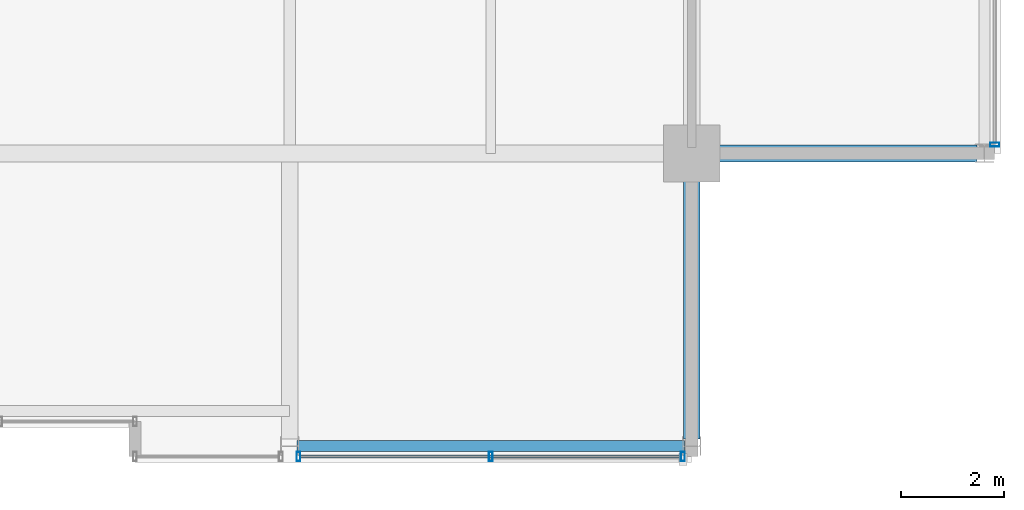
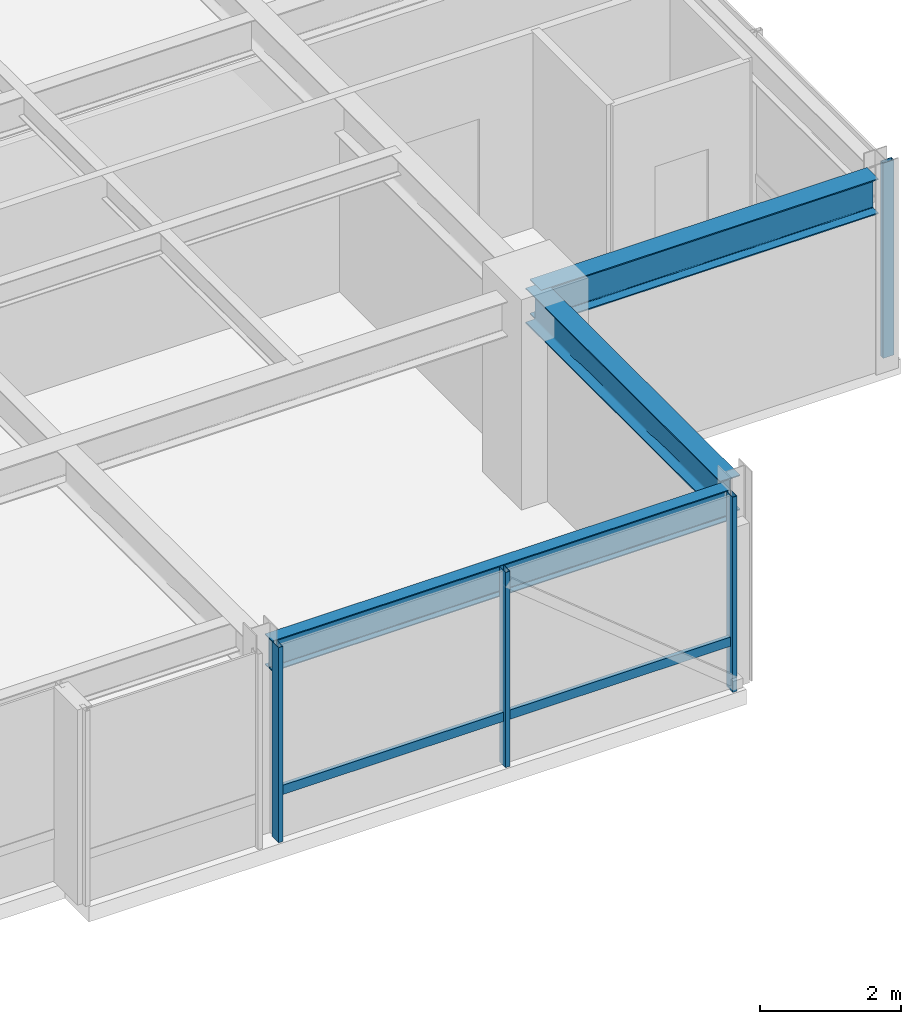
# One storey, part 15 of 33: 5 members, 3 beams, 2 elements without a shape of their own.
"""IFC4 building model written with IfcOpenShell, lengths in metres."""

from ifc_helpers import new_model, si_unit, direction, frame, origin, origin_2d, place, context, subcontext, project, spatial, hollow_rectangle, i_section, extrude, material, layer, layer_set, material_profile, profile_set, type_object, element, aggregate, save


model = new_model("IFC4")

# Units and contexts
model_context = context("Model", 3, precision=1e-05, world=origin(), true_north=direction((0.0, 1.0)))
body_context = subcontext(model_context, "Body", "Model", "MODEL_VIEW")
ifc_project = project(units=[si_unit("LENGTHUNIT", "METRE"), si_unit("AREAUNIT", "SQUARE_METRE"), si_unit("VOLUMEUNIT", "CUBIC_METRE"), si_unit("PLANEANGLEUNIT", "RADIAN"), si_unit("MASSUNIT", "GRAM", prefix="KILO")], contexts=[model_context])

# Site, building, storey
site_placement = place(None, origin())
site = spatial("IfcSite", under=ifc_project, at=site_placement, CompositionType="ELEMENT")
building_placement = place(site_placement, origin())
building = spatial("IfcBuilding", under=site, at=building_placement, Name="Drelvath Grand Hotel", CompositionType="ELEMENT")
storey_placement = place(building_placement, frame((0.0, 0.0, 275.949951171875)))
storey = spatial("IfcBuildingStorey", under=building, at=storey_placement, Name="L72", CompositionType="ELEMENT", Elevation=275.949951171875)

# Curtain wall, member
ifc_material_1 = material(Name="Platinum-Mist Anodised Aluminium Frame", Category="aluminium")
ifc_layer = layer(ifc_material_1, 0.199951171875)
ifc_layer_set = layer_set([ifc_layer], Name="Platinum-Mist Anodised Aluminium Frame")
curtain_wall_type = type_object("IfcCurtainWallType", Name="Stick Curtain Wall CW-05 Platinum Mist High-Rise", PredefinedType="NOTDEFINED", material=ifc_layer_set)
curtain_wall_1_placement = place(storey_placement, origin())
curtain_wall_1 = element("IfcCurtainWall", 1, at=curtain_wall_1_placement, inside=storey, type_object=curtain_wall_type, Name="L72 CW-05 Curtain Wall CW05-L72-SE2", PredefinedType="NOTDEFINED")
ifc_material_profile_1 = material_profile(ifc_material_1, hollow_rectangle(XDim=0.06494140625, YDim=0.159912109375, WallThickness=0.00390625, at=origin_2d()), Name="HSS160X65X4")
ifc_profile_set_1 = profile_set([ifc_material_profile_1], Name="Platinum-Mist Anodised Aluminium Frame")
member_type_1 = type_object("IfcMemberType", Name="Curtain Wall Horizontal Transom CW-05 HSS160X65X4", PredefinedType="USERDEFINED", material=ifc_profile_set_1)
member_1_placement = place(storey_placement, frame((15.989990234375, 4.919921875, 0.84765625), z_axis=(-1.0, 0.0, 0.0), x_axis=(0.0, -1.0, 0.0)))
member_1 = element("IfcMember", 2, at=member_1_placement, type_object=member_type_1, Name="CW05-L72-SE2 Sill Transom", ObjectType="TRANSOM", PredefinedType="USERDEFINED", context=body_context, shape_type="SweptSolid", body=[
    extrude(hollow_rectangle(XDim=0.06494140625, YDim=0.159912109375, WallThickness=0.00390625, at=origin_2d()), origin(), (0.0, 0.0, 1.0), 7.3798828125),
])

curtain_wall_2_placement = place(storey_placement, origin())
curtain_wall_2 = element("IfcCurtainWall", 3, at=curtain_wall_2_placement, inside=storey, type_object=curtain_wall_type, Name="L72 CW-05 Curtain Wall CW05-L72-ES1", PredefinedType="NOTDEFINED")
ifc_material_profile_2 = material_profile(ifc_material_1, hollow_rectangle(XDim=0.074951171875, YDim=0.179931640625, WallThickness=0.0048828125, at=origin_2d()), Name="HSS180X75X5")
ifc_profile_set_2 = profile_set([ifc_material_profile_2], Name="Platinum-Mist Anodised Aluminium Frame")
member_type_2 = type_object("IfcMemberType", Name="Curtain Wall Vertical Mullion CW-05 HSS180X75X5", PredefinedType="MULLION", material=ifc_profile_set_2)
member_2_placement = place(storey_placement, frame((22.080078125, 10.97021484375, 0.0), z_axis=(0.0, 0.0, 1.0), x_axis=(0.0, 1.0, 0.0)))
member_2 = element("IfcMember", 4, at=member_2_placement, type_object=member_type_2, Name="CW05-L72-ES1 Mullion 3", PredefinedType="MULLION", context=body_context, shape_type="SweptSolid", body=[
    extrude(hollow_rectangle(XDim=0.074951171875, YDim=0.179931640625, WallThickness=0.0048828125, at=origin_2d()), origin(), (0.0, 0.0, 1.0), 3.39013671875),
])
aggregate(curtain_wall_2, [member_2])

# Member
member_3_placement = place(storey_placement, frame((16.02978515625, 4.919921875, 0.0), z_axis=(0.0, 0.0, 1.0), x_axis=(1.0, 0.0, 0.0)))
member_3 = element("IfcMember", 5, at=member_3_placement, type_object=member_type_2, Name="CW05-L72-SE2 Mullion 1", PredefinedType="MULLION", context=body_context, shape_type="SweptSolid", body=[
    extrude(hollow_rectangle(XDim=0.074951171875, YDim=0.179931640625, WallThickness=0.0048828125, at=origin_2d()), origin(), (0.0, 0.0, 1.0), 3.39013671875),
])

member_4_placement = place(storey_placement, frame((12.300048828125, 4.919921875, 0.0), z_axis=(0.0, 0.0, 1.0), x_axis=(1.0, 0.0, 0.0)))
member_4 = element("IfcMember", 6, at=member_4_placement, type_object=member_type_2, Name="CW05-L72-SE2 Mullion 2", PredefinedType="MULLION", context=body_context, shape_type="SweptSolid", body=[
    extrude(hollow_rectangle(XDim=0.074951171875, YDim=0.179931640625, WallThickness=0.0048828125, at=origin_2d()), origin(), (0.0, 0.0, 1.0), 3.39013671875),
])

member_5_placement = place(storey_placement, frame((8.570068359375, 4.919921875, 0.0), z_axis=(0.0, 0.0, 1.0), x_axis=(1.0, 0.0, 0.0)))
member_5 = element("IfcMember", 7, at=member_5_placement, type_object=member_type_2, Name="CW05-L72-SE2 Mullion 3", PredefinedType="MULLION", context=body_context, shape_type="SweptSolid", body=[
    extrude(hollow_rectangle(XDim=0.074951171875, YDim=0.179931640625, WallThickness=0.0048828125, at=origin_2d()), origin(), (0.0, 0.0, 1.0), 3.39013671875),
])

aggregate(curtain_wall_1, [member_3, member_4, member_5, member_1])

# Beams
ifc_material_2 = material(Name="Steel ASTM A992 Gr 50", Category="steel")
ifc_material_profile_3 = material_profile(ifc_material_2, i_section(OverallWidth=0.210205078125, OverallDepth=0.53662109375, WebThickness=0.010986328125, FlangeThickness=0.017333984375, FilletRadius=0.01806640625, at=origin_2d()), Name="W21X68")
ifc_profile_set_3 = profile_set([ifc_material_profile_3], Name="Steel ASTM A992 Gr 50")
beam_type_1 = type_object("IfcBeamType", Name="Perimeter Spandrel Beam W21X68", PredefinedType="SPANDREL", material=ifc_profile_set_3)
beam_placement = place(storey_placement, frame((8.5400390625, 5.1201171875, 3.12158203125), z_axis=(1.0, 0.0, 0.0), x_axis=(0.0, 1.0, 0.0)))
element("IfcBeam", 8, at=beam_placement, inside=storey, type_object=beam_type_1, Name="L72 Spandrel South E", PredefinedType="SPANDREL", context=body_context, shape_type="SweptSolid", body=[
    extrude(i_section(OverallWidth=0.210205078125, OverallDepth=0.53662109375, WebThickness=0.010986328125, FlangeThickness=0.017333984375, FilletRadius=0.01806640625, at=origin_2d()), origin(), (0.0, 0.0, 1.0), 7.52001953125),
])
ifc_material_profile_4 = material_profile(ifc_material_2, i_section(OverallWidth=0.323974609375, OverallDepth=0.611083984375, WebThickness=0.0126953125, FlangeThickness=0.01904296875, FilletRadius=0.02197265625, at=origin_2d()), Name="W24X104")
ifc_profile_set_4 = profile_set([ifc_material_profile_4], Name="Steel ASTM A992 Gr 50")
beam_type_2 = type_object("IfcBeamType", Name="Primary Floor Girder W24X104", PredefinedType="BEAM", material=ifc_profile_set_4)
for number, where, z_axis, x_axis, name in (
    (9, (16.199951171875, 10.800048828125, 3.08447265625), (1.0, 0.0, 0.0), (0.0, 1.0, 0.0), "L72 East Grid Girder C"),
    (10, (16.199951171875, 5.260009765625, 3.08447265625), (0.0, 1.0, 0.0), (-1.0, 0.0, 0.0), "L72 South Grid Girder 7"),
):
    element("IfcBeam", number, at=place(storey_placement, frame(where, z_axis=z_axis, x_axis=x_axis)), inside=storey, type_object=beam_type_2, Name=name, PredefinedType="BEAM", context=body_context, shape_type="SweptSolid", body=[
        extrude(i_section(OverallWidth=0.323974609375, OverallDepth=0.611083984375, WebThickness=0.0126953125, FlangeThickness=0.01904296875, FilletRadius=0.02197265625, at=origin_2d()), origin(), (0.0, 0.0, 1.0), 5.5400390625),
    ])

save(model, "model.ifc")
